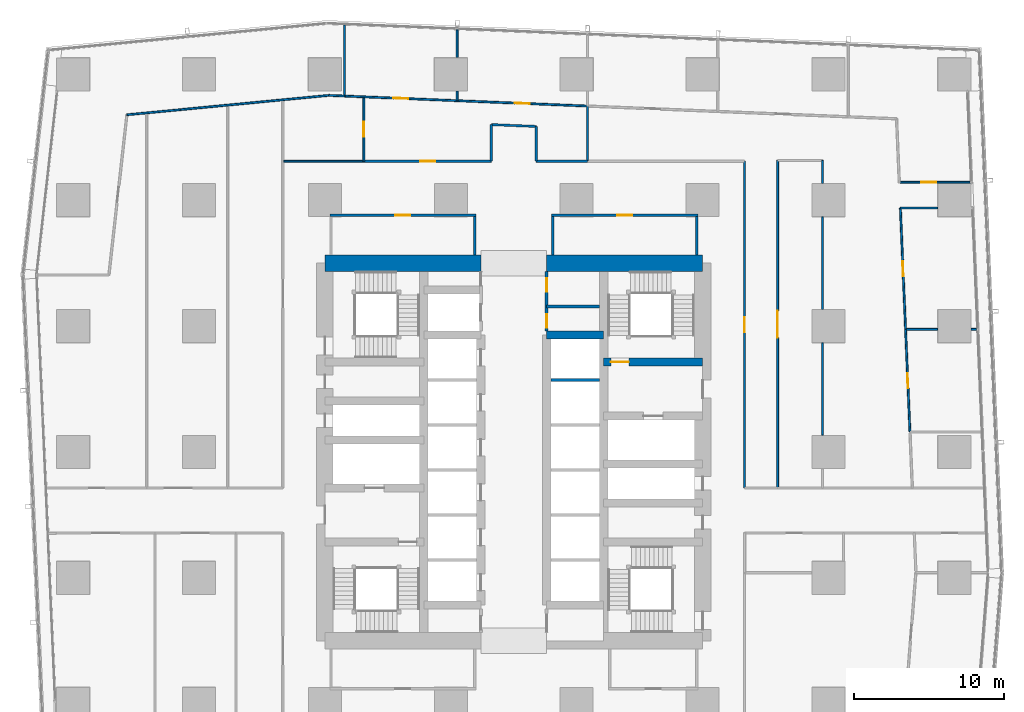
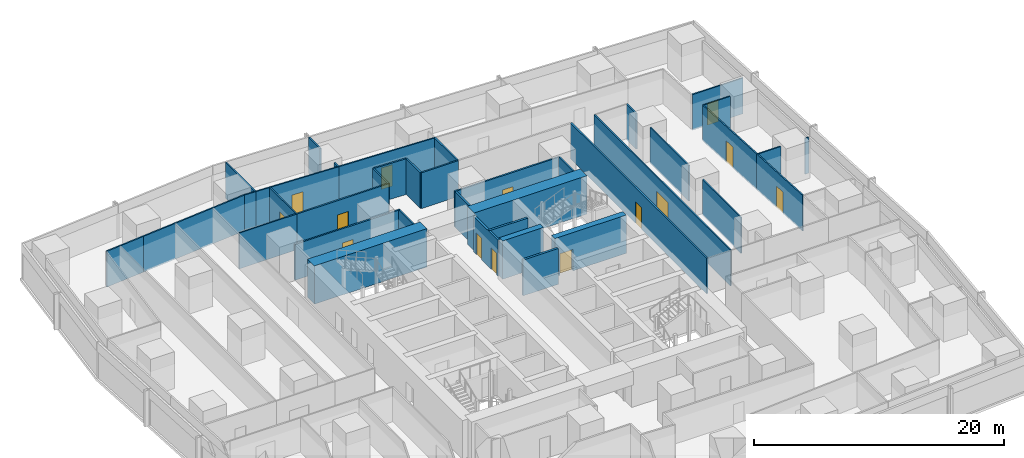
# One storey, part 34 of 44: 39 walls, 14 doors, 14 openings.
"""IFC4 building model written with IfcOpenShell, lengths in metres."""

from ifc_helpers import new_model, si_unit, direction, frame, frame_2d, origin, place, context, subcontext, project, spatial, rectangle, extrude, material, layer, layer_set, type_object, element, fill, save


model = new_model("IFC4")

# Units and contexts
model_context = context("Model", 3, precision=1e-05, world=origin(), true_north=direction((0.0, 1.0)))
body_context = subcontext(model_context, "Body", "Model", "MODEL_VIEW")
ifc_project = project(units=[si_unit("LENGTHUNIT", "METRE"), si_unit("AREAUNIT", "SQUARE_METRE"), si_unit("VOLUMEUNIT", "CUBIC_METRE"), si_unit("PLANEANGLEUNIT", "RADIAN"), si_unit("MASSUNIT", "GRAM", prefix="KILO")], contexts=[model_context])

# Site, building, storey
site_placement = place(None, origin())
site = spatial("IfcSite", under=ifc_project, at=site_placement, CompositionType="ELEMENT")
building_placement = place(site_placement, origin())
building = spatial("IfcBuilding", under=site, at=building_placement, Name="Rekha Terrace Tower", CompositionType="ELEMENT")
storey_placement = place(building_placement, frame((0.0, 0.0, 47.89990234375)))
storey = spatial("IfcBuildingStorey", under=building, at=storey_placement, Name="L11", CompositionType="ELEMENT", Elevation=47.89990234375)

# Wall
ifc_material_1 = material(Name="Concrete M70", Category="concrete")
ifc_layer_1 = layer(ifc_material_1, 0.550048828125)
ifc_layer_set_1 = layer_set([ifc_layer_1], Name="Concrete M70")
wall_type_1 = type_object("IfcWallType", Name="CI1 550 core internal shear wall", PredefinedType="SHEAR", material=ifc_layer_set_1)
wall_1_placement = place(storey_placement, frame((40.0, 41.39990234375, 0.0), z_axis=(0.0, 0.0, 1.0), x_axis=(1.0, 0.0, 0.0)))
element("IfcWall", 1, at=wall_1_placement, inside=storey, type_object=wall_type_1, Name="Core wall Y414E L11", PredefinedType="SHEAR", context=body_context, shape_type="SweptSolid", body=[
    extrude(rectangle(XDim=3.800048828125, YDim=0.550048828125, at=frame_2d((1.89990234375, 0.0))), origin(), (0.0, 0.0, 1.0), 3.75),
])

# Wall, opening, door
wall_2_placement = place(storey_placement, frame((43.800048828125, 39.60009765625, 0.0), z_axis=(0.0, 0.0, 1.0), x_axis=(1.0, 0.0, 0.0)))
wall_2 = element("IfcWall", 2, at=wall_2_placement, inside=storey, type_object=wall_type_1, Name="Core wall Y396E L11", PredefinedType="SHEAR", context=body_context, shape_type="SweptSolid", body=[
    extrude(rectangle(XDim=6.599853515625, YDim=0.550048828125, at=frame_2d((3.2998046875, 0.0))), origin(), (0.0, 0.0, 1.0), 3.75),
])
opening_1_placement = place(wall_2_placement, frame((0.47509765625, 0.0, 0.0)))
opening_1 = element("IfcOpeningElement", 3, at=opening_1_placement, cuts=wall_2, Name="Opening D1", PredefinedType="OPENING", context=body_context, shape_type="SweptSolid", body=[
    extrude(rectangle(XDim=1.199951171875, YDim=2.10009765625, at=frame_2d((0.60009765625, 1.050048828125))), frame((0.0, 0.284912109375, 0.0), z_axis=(0.0, -1.0, 0.0), x_axis=(1.0, 0.0, 0.0)), (0.0, 0.0, 1.0), 0.570068359375),
])
ifc_material_2 = material(Name="Steel fire door", Category="steel")
door_type_1 = type_object("IfcDoorType", Name="D1 1200x2100 stair fire door", OperationType="SINGLE_SWING_RIGHT", PredefinedType="DOOR", material=ifc_material_2)
door_1_placement = place(opening_1_placement, origin())
door_1 = element("IfcDoor", 4, at=door_1_placement, inside=storey, type_object=door_type_1, Name="Stair ST2 door L11", OperationType="SINGLE_SWING_RIGHT", OverallHeight=2.10009765625, OverallWidth=1.199951171875, PredefinedType="DOOR", context=body_context, shape_type="SweptSolid", body=[
    extrude(rectangle(XDim=1.199951171875, YDim=2.10009765625, at=frame_2d((0.60009765625, 1.050048828125))), frame((0.0, 0.02490234375, 0.0), z_axis=(0.0, -1.0, 0.0), x_axis=(1.0, 0.0, 0.0)), (0.0, 0.0, 1.0), 0.050048828125),
])
fill(opening_1, door_1)

# Walls
ifc_layer_2 = layer(ifc_material_1, 1.10009765625)
ifc_layer_set_2 = layer_set([ifc_layer_2], Name="Concrete M70")
wall_type_2 = type_object("IfcWallType", Name="SW1 1100 core outer shear wall", PredefinedType="SHEAR", material=ifc_layer_set_2)
wall_3_placement = place(storey_placement, frame((25.199951171875, 46.199951171875, 0.0), z_axis=(0.0, 0.0, 1.0), x_axis=(1.0, 0.0, 0.0)))
element("IfcWall", 5, at=wall_3_placement, inside=storey, type_object=wall_type_2, Name="Core wall N1 L11", PredefinedType="SHEAR", context=body_context, shape_type="SweptSolid", body=[
    extrude(rectangle(XDim=10.400146484375, YDim=1.10009765625, at=frame_2d((5.2001953125, 0.0))), origin(), (0.0, 0.0, 1.0), 3.75),
])
wall_4_placement = place(storey_placement, frame((40.0, 46.199951171875, 0.0), z_axis=(0.0, 0.0, 1.0), x_axis=(1.0, 0.0, 0.0)))
element("IfcWall", 6, at=wall_4_placement, inside=storey, type_object=wall_type_2, Name="Core wall N2 L11", PredefinedType="SHEAR", context=body_context, shape_type="SweptSolid", body=[
    extrude(rectangle(XDim=10.39990234375, YDim=1.10009765625, at=frame_2d((5.199951171875, 0.0))), origin(), (0.0, 0.0, 1.0), 3.75),
])

# Wall, opening, door
ifc_material_3 = material(Name="Concrete block masonry, 1 hour", Category="masonry")
ifc_layer_3 = layer(ifc_material_3, 0.14990234375)
ifc_layer_set_3 = layer_set([ifc_layer_3], Name="Concrete block masonry, 1 hour")
wall_type_3 = type_object("IfcWallType", Name="WP2 150 tenancy partition", PredefinedType="PARTITIONING", material=ifc_layer_set_3)
wall_5_placement = place(storey_placement, frame((40.324951171875, 49.39990234375, 0.0), z_axis=(0.0, 0.0, 1.0), x_axis=(1.0, 0.0, 0.0)))
wall_5 = element("IfcWall", 7, at=wall_5_placement, inside=storey, type_object=wall_type_3, Name="Women's WC wall L11", PredefinedType="PARTITIONING", context=body_context, shape_type="SweptSolid", body=[
    extrude(rectangle(XDim=9.75, YDim=0.14990234375, at=frame_2d((4.875, 0.0))), origin(), (0.0, 0.0, 1.0), 3.5),
])
opening_2_placement = place(wall_5_placement, frame((4.375, 0.0, 0.0)))
opening_2 = element("IfcOpeningElement", 8, at=opening_2_placement, cuts=wall_5, Name="Opening D3", PredefinedType="OPENING", context=body_context, shape_type="SweptSolid", body=[
    extrude(rectangle(XDim=1.0, YDim=2.10009765625, at=frame_2d((0.5, 1.050048828125))), frame((0.0, 0.0849609375, 0.0), z_axis=(0.0, -1.0, 0.0), x_axis=(1.0, 0.0, 0.0)), (0.0, 0.0, 1.0), 0.169921875),
])
ifc_material_4 = material(Name="Laminated timber fire door", Category="wood")
door_type_2 = type_object("IfcDoorType", Name="D3 1000x2100 WC door", OperationType="SINGLE_SWING_LEFT", PredefinedType="DOOR", material=ifc_material_4)
door_2_placement = place(opening_2_placement, origin())
door_2 = element("IfcDoor", 9, at=door_2_placement, inside=storey, type_object=door_type_2, Name="Door women's wc L11", OperationType="SINGLE_SWING_LEFT", OverallHeight=2.10009765625, OverallWidth=1.0, PredefinedType="DOOR", context=body_context, shape_type="SweptSolid", body=[
    extrude(rectangle(XDim=1.0, YDim=2.10009765625, at=frame_2d((0.5, 1.050048828125))), frame((0.0, 0.02490234375, 0.0), z_axis=(0.0, -1.0, 0.0), x_axis=(1.0, 0.0, 0.0)), (0.0, 0.0, 1.0), 0.050048828125),
])
fill(opening_2, door_2)

# Walls
for number, where, z_axis, x_axis, name in (
    (10, (40.39990234375, 46.75, 0.0), (0.0, 0.0, 1.0), (0.0, 1.0, 0.0), "Women's WC wall L11"),
    (11, (50.0, 46.75, 0.0), (0.0, 0.0, 1.0), (0.0, 1.0, 0.0), "Women's WC wall L11"),
):
    element("IfcWall", number, at=place(storey_placement, frame(where, z_axis=z_axis, x_axis=x_axis)), inside=storey, type_object=wall_type_3, Name=name, PredefinedType="PARTITIONING", context=body_context, shape_type="SweptSolid", body=[
        extrude(rectangle(XDim=2.574951171875, YDim=0.14990234375, at=frame_2d((1.28759765625, 0.0))), origin(), (0.0, 0.0, 1.0), 3.5),
    ])

# Wall, opening, door
wall_6_placement = place(storey_placement, frame((25.52490234375, 49.39990234375, 0.0), z_axis=(0.0, 0.0, 1.0), x_axis=(1.0, 0.0, 0.0)))
wall_6 = element("IfcWall", 12, at=wall_6_placement, inside=storey, type_object=wall_type_3, Name="Women's WC wall L11", PredefinedType="PARTITIONING", context=body_context, shape_type="SweptSolid", body=[
    extrude(rectangle(XDim=9.75, YDim=0.14990234375, at=frame_2d((4.875, 0.0))), origin(), (0.0, 0.0, 1.0), 3.5),
])
opening_3_placement = place(wall_6_placement, frame((4.375, 0.0, 0.0)))
opening_3 = element("IfcOpeningElement", 13, at=opening_3_placement, cuts=wall_6, Name="Opening D3", PredefinedType="OPENING", context=body_context, shape_type="SweptSolid", body=[
    extrude(rectangle(XDim=1.0, YDim=2.10009765625, at=frame_2d((0.5, 1.050048828125))), frame((0.0, 0.0849609375, 0.0), z_axis=(0.0, -1.0, 0.0), x_axis=(1.0, 0.0, 0.0)), (0.0, 0.0, 1.0), 0.169921875),
])
door_3_placement = place(opening_3_placement, origin())
door_3 = element("IfcDoor", 14, at=door_3_placement, inside=storey, type_object=door_type_2, Name="Door women's wc L11", OperationType="SINGLE_SWING_LEFT", OverallHeight=2.10009765625, OverallWidth=1.0, PredefinedType="DOOR", context=body_context, shape_type="SweptSolid", body=[
    extrude(rectangle(XDim=1.0, YDim=2.10009765625, at=frame_2d((0.5, 1.050048828125))), frame((0.0, 0.02490234375, 0.0), z_axis=(0.0, -1.0, 0.0), x_axis=(1.0, 0.0, 0.0)), (0.0, 0.0, 1.0), 0.050048828125),
])
fill(opening_3, door_3)

# Wall
wall_7_placement = place(storey_placement, frame((35.199951171875, 46.75, 0.0), z_axis=(0.0, 0.0, 1.0), x_axis=(0.0, 1.0, 0.0)))
element("IfcWall", 15, at=wall_7_placement, inside=storey, type_object=wall_type_3, Name="Women's WC wall L11", PredefinedType="PARTITIONING", context=body_context, shape_type="SweptSolid", body=[
    extrude(rectangle(XDim=2.574951171875, YDim=0.14990234375, at=frame_2d((1.28759765625, 0.0))), origin(), (0.0, 0.0, 1.0), 3.5),
])

# Wall, opening, door
wall_8_placement = place(storey_placement, frame((53.199951171875, 31.199951171875, 0.0), z_axis=(0.0, 0.0, 1.0), x_axis=(0.0, 1.0, 0.0)))
wall_8 = element("IfcWall", 16, at=wall_8_placement, inside=storey, type_object=wall_type_3, Name="Partition L11-O3", PredefinedType="PARTITIONING", context=body_context, shape_type="SweptSolid", body=[
    extrude(rectangle(XDim=21.800048828125, YDim=0.14990234375, at=frame_2d((10.89990234375, 0.0))), origin(), (0.0, 0.0, 1.0), 3.5),
])
opening_4_placement = place(wall_8_placement, frame((10.39990234375, 0.0, 0.0)))
opening_4 = element("IfcOpeningElement", 17, at=opening_4_placement, cuts=wall_8, Name="Opening D9", PredefinedType="OPENING", context=body_context, shape_type="SweptSolid", body=[
    extrude(rectangle(XDim=1.0, YDim=2.10009765625, at=frame_2d((0.5, 1.050048828125))), frame((0.0, 0.0849609375, 0.0), z_axis=(0.0, -1.0, 0.0), x_axis=(1.0, 0.0, 0.0)), (0.0, 0.0, 1.0), 0.169921875),
])
ifc_material_5 = material(Name="Timber fire door", Category="wood")
door_type_3 = type_object("IfcDoorType", Name="D9 1000x2100 office door", OperationType="SINGLE_SWING_LEFT", PredefinedType="DOOR", material=ifc_material_5)
door_4_placement = place(opening_4_placement, origin())
door_4 = element("IfcDoor", 18, at=door_4_placement, inside=storey, type_object=door_type_3, Name="Door open-plan office L11", OperationType="SINGLE_SWING_LEFT", OverallHeight=2.10009765625, OverallWidth=1.0, PredefinedType="DOOR", context=body_context, shape_type="SweptSolid", body=[
    extrude(rectangle(XDim=1.0, YDim=2.10009765625, at=frame_2d((0.5, 1.050048828125))), frame((0.0, 0.02490234375, 0.0), z_axis=(0.0, -1.0, 0.0), x_axis=(1.0, 0.0, 0.0)), (0.0, 0.0, 1.0), 0.050048828125),
])
fill(opening_4, door_4)

# Walls
wall_9_placement = place(storey_placement, frame((42.718994140625, 53.0, 0.0), z_axis=(0.0, 0.0, 1.0), x_axis=(0.0, 1.0, 0.0)))
element("IfcWall", 19, at=wall_9_placement, inside=storey, type_object=wall_type_3, Name="Partition L11-O3", PredefinedType="PARTITIONING", context=body_context, shape_type="SweptSolid", body=[
    extrude(rectangle(XDim=3.678955078125, YDim=0.14990234375, at=frame_2d((1.83935546875, 0.0))), origin(), (0.0, 0.0, 1.0), 3.5),
])
wall_10_placement = place(storey_placement, frame((42.718017578125, 53.0, 0.0), z_axis=(0.0, 0.0, 1.0), x_axis=(-1.0, 0.0, 0.0)))
element("IfcWall", 20, at=wall_10_placement, inside=storey, type_object=wall_type_3, Name="Partition L11-O4", PredefinedType="PARTITIONING", context=body_context, shape_type="SweptSolid", body=[
    extrude(rectangle(XDim=3.41796875, YDim=0.14990234375, at=frame_2d((1.708984375, 0.0))), origin(), (0.0, 0.0, 1.0), 3.5),
])
wall_11_placement = place(storey_placement, frame((39.300048828125, 53.0, 0.0), z_axis=(0.0, 0.0, 1.0), x_axis=(0.0, 1.0, 0.0)))
element("IfcWall", 21, at=wall_11_placement, inside=storey, type_object=wall_type_3, Name="Partition L11-O4", PredefinedType="PARTITIONING", context=body_context, shape_type="SweptSolid", body=[
    extrude(rectangle(XDim=2.319091796875, YDim=0.14990234375, at=frame_2d((1.15966796875, 0.0))), origin(), (0.0, 0.0, 1.0), 3.5),
])
wall_12_placement = place(storey_placement, frame((39.300048828125, 55.319091796875, 0.0), z_axis=(0.0, 0.0, 1.0), x_axis=(-0.999163245212, 0.040899992866, 0.0)))
element("IfcWall", 22, at=wall_12_placement, inside=storey, type_object=wall_type_3, Name="Partition L11-O4", PredefinedType="PARTITIONING", context=body_context, shape_type="SweptSolid", body=[
    extrude(rectangle(XDim=3.00244140625, YDim=0.14990234375, at=frame_2d((1.501220703125, 0.0))), origin(), (0.0, 0.0, 1.0), 3.5),
])
wall_13_placement = place(storey_placement, frame((36.300048828125, 55.44189453125, 0.0), z_axis=(0.0, 0.0, 1.0), x_axis=(0.0, -1.0, 0.0)))
element("IfcWall", 23, at=wall_13_placement, inside=storey, type_object=wall_type_3, Name="Partition L11-O4", PredefinedType="PARTITIONING", context=body_context, shape_type="SweptSolid", body=[
    extrude(rectangle(XDim=2.44189453125, YDim=0.14990234375, at=frame_2d((1.220947265625, 0.0))), origin(), (0.0, 0.0, 1.0), 3.5),
])

# Wall, opening, door
wall_14_placement = place(storey_placement, frame((36.300048828125, 53.0, 0.0), z_axis=(0.0, 0.0, 1.0), x_axis=(-1.0, 0.0, 0.0)))
wall_14 = element("IfcWall", 24, at=wall_14_placement, inside=storey, type_object=wall_type_3, Name="Partition L11-O4", PredefinedType="PARTITIONING", context=body_context, shape_type="SweptSolid", body=[
    extrude(rectangle(XDim=8.5, YDim=0.14990234375, at=frame_2d((4.25, 0.0))), origin(), (0.0, 0.0, 1.0), 3.5),
])
opening_5_placement = place(wall_14_placement, frame((3.75, 0.0, 0.0)))
opening_5 = element("IfcOpeningElement", 25, at=opening_5_placement, cuts=wall_14, Name="Opening D9", PredefinedType="OPENING", context=body_context, shape_type="SweptSolid", body=[
    extrude(rectangle(XDim=1.0, YDim=2.10009765625, at=frame_2d((0.5, 1.050048828125))), frame((0.0, 0.0849609375, 0.0), z_axis=(0.0, -1.0, 0.0), x_axis=(1.0, 0.0, 0.0)), (0.0, 0.0, 1.0), 0.169921875),
])
door_5_placement = place(opening_5_placement, origin())
door_5 = element("IfcDoor", 26, at=door_5_placement, inside=storey, type_object=door_type_3, Name="Door open-plan office L11", OperationType="SINGLE_SWING_LEFT", OverallHeight=2.10009765625, OverallWidth=1.0, PredefinedType="DOOR", context=body_context, shape_type="SweptSolid", body=[
    extrude(rectangle(XDim=1.0, YDim=2.10009765625, at=frame_2d((0.5, 1.050048828125))), frame((0.0, 0.02490234375, 0.0), z_axis=(0.0, -1.0, 0.0), x_axis=(1.0, 0.0, 0.0)), (0.0, 0.0, 1.0), 0.050048828125),
])
fill(opening_5, door_5)

ifc_material_6 = material(Name="Two layers of fire-rated gypsum board each side on steel studs, acoustic quilt, 1 hour", Category="steel")
ifc_layer_4 = layer(ifc_material_6, 0.125)
ifc_layer_set_4 = layer_set([ifc_layer_4], Name="Two layers of fire-rated gypsum board each side on steel studs, acoustic quilt, 1 hour")
wall_type_4 = type_object("IfcWallType", Name="WP3 125 office partition", PredefinedType="PARTITIONING", material=ifc_layer_set_4)
wall_15_placement = place(storey_placement, frame((64.23095703125, 34.9541015625, 0.0), z_axis=(0.0, 0.0, 1.0), x_axis=(-0.042731736662, 0.999086582175, 0.0)))
wall_15 = element("IfcWall", 27, at=wall_15_placement, inside=storey, type_object=wall_type_4, Name="Partition L11-07", PredefinedType="PARTITIONING", context=body_context, shape_type="SweptSolid", body=[
    extrude(rectangle(XDim=6.833251953125, YDim=0.125, at=frame_2d((3.41650390625, 0.0))), origin(), (0.0, 0.0, 1.0), 3.5),
])
opening_6_placement = place(wall_15_placement, frame((2.905029296875, 0.0, 0.0)))
opening_6 = element("IfcOpeningElement", 28, at=opening_6_placement, cuts=wall_15, Name="Opening D9", PredefinedType="OPENING", context=body_context, shape_type="SweptSolid", body=[
    extrude(rectangle(XDim=1.0, YDim=2.10009765625, at=frame_2d((0.5, 1.050048828125))), frame((0.0, 0.072509765625, 0.0), z_axis=(0.0, -1.0, 0.0), x_axis=(1.0, 0.0, 0.0)), (0.0, 0.0, 1.0), 0.14501953125),
])
door_6_placement = place(opening_6_placement, origin())
door_6 = element("IfcDoor", 29, at=door_6_placement, inside=storey, type_object=door_type_3, Name="Door office L11", OperationType="SINGLE_SWING_LEFT", OverallHeight=2.10009765625, OverallWidth=1.0, PredefinedType="DOOR", context=body_context, shape_type="SweptSolid", body=[
    extrude(rectangle(XDim=1.0, YDim=2.10009765625, at=frame_2d((0.5, 1.050048828125))), frame((0.0, 0.02490234375, 0.0), z_axis=(0.0, -1.0, 0.0), x_axis=(1.0, 0.0, 0.0)), (0.0, 0.0, 1.0), 0.050048828125),
])
fill(opening_6, door_6)

# Walls
wall_16_placement = place(storey_placement, frame((64.001953125, 41.781005859375, 0.0), z_axis=(0.0, 0.0, 1.0), x_axis=(1.0, 0.0, 0.0)))
element("IfcWall", 30, at=wall_16_placement, inside=storey, type_object=wall_type_4, Name="Partition L11-07", PredefinedType="PARTITIONING", context=body_context, shape_type="SweptSolid", body=[
    extrude(rectangle(XDim=2.078125, YDim=0.125, at=frame_2d((1.0390625, 0.0))), origin(), (0.0, 0.0, 1.0), 3.5),
])
wall_17_placement = place(storey_placement, frame((68.320068359375, 41.781005859375, 0.0), z_axis=(0.0, 0.0, 1.0), x_axis=(1.0, 0.0, 0.0)))
element("IfcWall", 31, at=wall_17_placement, inside=storey, type_object=wall_type_4, Name="Partition L11-07", PredefinedType="PARTITIONING", context=body_context, shape_type="SweptSolid", body=[
    extrude(rectangle(XDim=0.343017578125, YDim=0.125, at=frame_2d((0.17138671875, 0.0))), origin(), (0.0, 0.0, 1.0), 3.5),
])

# Wall, opening, door
wall_18_placement = place(storey_placement, frame((63.93896484375, 41.781982421875, 0.0), z_axis=(0.0, 0.0, 1.0), x_axis=(-0.042686820675, 0.999088502256, 0.0)))
wall_18 = element("IfcWall", 32, at=wall_18_placement, inside=storey, type_object=wall_type_4, Name="Partition L11-08", PredefinedType="PARTITIONING", context=body_context, shape_type="SweptSolid", body=[
    extrude(rectangle(XDim=8.104248046875, YDim=0.125, at=frame_2d((4.05224609375, 0.0))), origin(), (0.0, 0.0, 1.0), 3.5),
])
opening_7_placement = place(wall_18_placement, frame((3.552001953125, 0.0, 0.0)))
opening_7 = element("IfcOpeningElement", 33, at=opening_7_placement, cuts=wall_18, Name="Opening D9", PredefinedType="OPENING", context=body_context, shape_type="SweptSolid", body=[
    extrude(rectangle(XDim=1.0, YDim=2.10009765625, at=frame_2d((0.5, 1.050048828125))), frame((0.0, 0.072509765625, 0.0), z_axis=(0.0, -1.0, 0.0), x_axis=(1.0, 0.0, 0.0)), (0.0, 0.0, 1.0), 0.14501953125),
])
door_7_placement = place(opening_7_placement, origin())
door_7 = element("IfcDoor", 34, at=door_7_placement, inside=storey, type_object=door_type_3, Name="Door office L11", OperationType="SINGLE_SWING_LEFT", OverallHeight=2.10009765625, OverallWidth=1.0, PredefinedType="DOOR", context=body_context, shape_type="SweptSolid", body=[
    extrude(rectangle(XDim=1.0, YDim=2.10009765625, at=frame_2d((0.5, 1.050048828125))), frame((0.0, 0.02490234375, 0.0), z_axis=(0.0, -1.0, 0.0), x_axis=(1.0, 0.0, 0.0)), (0.0, 0.0, 1.0), 0.050048828125),
])
fill(opening_7, door_7)

# Wall
wall_19_placement = place(storey_placement, frame((63.593017578125, 49.87890625, 0.0), z_axis=(0.0, 0.0, 1.0), x_axis=(1.0, 0.0, 0.0)))
element("IfcWall", 35, at=wall_19_placement, inside=storey, type_object=wall_type_4, Name="Partition L11-08", PredefinedType="PARTITIONING", context=body_context, shape_type="SweptSolid", body=[
    extrude(rectangle(XDim=2.487060546875, YDim=0.125, at=frame_2d((1.24365234375, 0.0))), origin(), (0.0, 0.0, 1.0), 3.5),
])

# Wall, opening, door
wall_20_placement = place(storey_placement, frame((68.243896484375, 51.593017578125, 0.0), z_axis=(0.0, 0.0, 1.0), x_axis=(-1.0, 0.0, 0.0)))
wall_20 = element("IfcWall", 36, at=wall_20_placement, inside=storey, type_object=wall_type_4, Name="Partition L11-09", PredefinedType="PARTITIONING", context=body_context, shape_type="SweptSolid", body=[
    extrude(rectangle(XDim=4.661865234375, YDim=0.125, at=frame_2d((2.3310546875, 0.0))), origin(), (0.0, 0.0, 1.0), 3.5),
])
opening_8_placement = place(wall_20_placement, frame((2.260986328125, 0.0, 0.0)))
opening_8 = element("IfcOpeningElement", 37, at=opening_8_placement, cuts=wall_20, Name="Opening D9", PredefinedType="OPENING", context=body_context, shape_type="SweptSolid", body=[
    extrude(rectangle(XDim=1.0, YDim=2.10009765625, at=frame_2d((0.5, 1.050048828125))), frame((0.0, 0.072509765625, 0.0), z_axis=(0.0, -1.0, 0.0), x_axis=(1.0, 0.0, 0.0)), (0.0, 0.0, 1.0), 0.14501953125),
])
door_8_placement = place(opening_8_placement, origin())
door_8 = element("IfcDoor", 38, at=door_8_placement, inside=storey, type_object=door_type_3, Name="Door director's office L11", OperationType="SINGLE_SWING_LEFT", OverallHeight=2.10009765625, OverallWidth=1.0, PredefinedType="DOOR", context=body_context, shape_type="SweptSolid", body=[
    extrude(rectangle(XDim=1.0, YDim=2.10009765625, at=frame_2d((0.5, 1.050048828125))), frame((0.0, 0.02490234375, 0.0), z_axis=(0.0, -1.0, 0.0), x_axis=(1.0, 0.0, 0.0)), (0.0, 0.0, 1.0), 0.050048828125),
])
fill(opening_8, door_8)

# Walls
wall_21_placement = place(storey_placement, frame((58.39990234375, 53.050048828125, 0.0), z_axis=(0.0, 0.0, 1.0), x_axis=(0.0, -1.0, 0.0)))
element("IfcWall", 39, at=wall_21_placement, inside=storey, type_object=wall_type_4, Name="Partition L11-12", PredefinedType="PARTITIONING", context=body_context, shape_type="SweptSolid", body=[
    extrude(rectangle(XDim=1.530029296875, YDim=0.125, at=frame_2d((0.76513671875, 0.0))), origin(), (0.0, 0.0, 1.0), 3.5),
])
for number, where, z_axis, x_axis, name in (
    (40, (58.39990234375, 49.280029296875, 0.0), (0.0, 0.0, 1.0), (0.0, -1.0, 0.0), "Partition L11-12"),
    (41, (58.39990234375, 40.8798828125, 0.0), (0.0, 0.0, 1.0), (0.0, -1.0, 0.0), "Partition L11-12"),
):
    element("IfcWall", number, at=place(storey_placement, frame(where, z_axis=z_axis, x_axis=x_axis)), inside=storey, type_object=wall_type_4, Name=name, PredefinedType="PARTITIONING", context=body_context, shape_type="SweptSolid", body=[
        extrude(rectangle(XDim=6.159912109375, YDim=0.125, at=frame_2d((3.080078125, 0.0))), origin(), (0.0, 0.0, 1.0), 3.5),
    ])

# Wall, opening, door
wall_22_placement = place(storey_placement, frame((55.39990234375, 31.199951171875, 0.0), z_axis=(0.0, 0.0, 1.0), x_axis=(0.0, 1.0, 0.0)))
wall_22 = element("IfcWall", 42, at=wall_22_placement, inside=storey, type_object=wall_type_4, Name="Partition L11-12", PredefinedType="PARTITIONING", context=body_context, shape_type="SweptSolid", body=[
    extrude(rectangle(XDim=21.85009765625, YDim=0.125, at=frame_2d((10.925048828125, 0.0))), origin(), (0.0, 0.0, 1.0), 3.5),
])
opening_9_placement = place(wall_22_placement, frame((10.02490234375, 0.0, 0.0)))
opening_9 = element("IfcOpeningElement", 43, at=opening_9_placement, cuts=wall_22, Name="Opening D8", PredefinedType="OPENING", context=body_context, shape_type="SweptSolid", body=[
    extrude(rectangle(XDim=1.800048828125, YDim=2.10009765625, at=frame_2d((0.89990234375, 1.050048828125))), frame((0.0, 0.072509765625, 0.0), z_axis=(0.0, -1.0, 0.0), x_axis=(1.0, 0.0, 0.0)), (0.0, 0.0, 1.0), 0.14501953125),
])
door_type_4 = type_object("IfcDoorType", Name="D8 1800x2100 double leaf door", OperationType="DOUBLE_DOOR_SINGLE_SWING", PredefinedType="DOOR", material=ifc_material_5)
door_9_placement = place(opening_9_placement, origin())
door_9 = element("IfcDoor", 44, at=door_9_placement, inside=storey, type_object=door_type_4, Name="Door focus room L11", OperationType="DOUBLE_DOOR_SINGLE_SWING", OverallHeight=2.10009765625, OverallWidth=1.800048828125, PredefinedType="DOOR", context=body_context, shape_type="SweptSolid", body=[
    extrude(rectangle(XDim=1.800048828125, YDim=2.10009765625, at=frame_2d((0.89990234375, 1.050048828125))), frame((0.0, 0.02490234375, 0.0), z_axis=(0.0, -1.0, 0.0), x_axis=(1.0, 0.0, 0.0)), (0.0, 0.0, 1.0), 0.050048828125),
])
fill(opening_9, door_9)

# Walls
wall_23_placement = place(storey_placement, frame((34.02294921875, 57.037109375, 0.0), z_axis=(0.0, 0.0, 1.0), x_axis=(0.0, 1.0, 0.0)))
element("IfcWall", 45, at=wall_23_placement, inside=storey, type_object=wall_type_4, Name="Partition L11-13", PredefinedType="PARTITIONING", context=body_context, shape_type="SweptSolid", body=[
    extrude(rectangle(XDim=0.642822265625, YDim=0.125, at=frame_2d((0.3212890625, 0.0))), origin(), (0.0, 0.0, 1.0), 3.5),
])
wall_24_placement = place(storey_placement, frame((34.02294921875, 59.919921875, 0.0), z_axis=(0.0, 0.0, 1.0), x_axis=(0.0, 1.0, 0.0)))
element("IfcWall", 46, at=wall_24_placement, inside=storey, type_object=wall_type_4, Name="Partition L11-13", PredefinedType="PARTITIONING", context=body_context, shape_type="SweptSolid", body=[
    extrude(rectangle(XDim=1.841064453125, YDim=0.125, at=frame_2d((0.92041015625, 0.0))), origin(), (0.0, 0.0, 1.0), 3.5),
])

# Wall, opening, door
wall_25_placement = place(storey_placement, frame((42.718017578125, 56.678955078125, 0.0), z_axis=(0.0, 0.0, 1.0), x_axis=(-0.999152748928, 0.041155610913, 0.0)))
wall_25 = element("IfcWall", 47, at=wall_25_placement, inside=storey, type_object=wall_type_4, Name="Partition L11-13", PredefinedType="PARTITIONING", context=body_context, shape_type="SweptSolid", body=[
    extrude(rectangle(XDim=8.702392578125, YDim=0.125, at=frame_2d((4.35107421875, 0.0))), origin(), (0.0, 0.0, 1.0), 3.5),
])
opening_10_placement = place(wall_25_placement, frame((3.85107421875, 0.0, 0.0)))
opening_10 = element("IfcOpeningElement", 48, at=opening_10_placement, cuts=wall_25, Name="Opening D9", PredefinedType="OPENING", context=body_context, shape_type="SweptSolid", body=[
    extrude(rectangle(XDim=1.0, YDim=2.10009765625, at=frame_2d((0.5, 1.050048828125))), frame((0.0, 0.072509765625, 0.0), z_axis=(0.0, -1.0, 0.0), x_axis=(1.0, 0.0, 0.0)), (0.0, 0.0, 1.0), 0.14501953125),
])
door_10_placement = place(opening_10_placement, origin())
door_10 = element("IfcDoor", 49, at=door_10_placement, inside=storey, type_object=door_type_3, Name="Door office L11", OperationType="SINGLE_SWING_LEFT", OverallHeight=2.10009765625, OverallWidth=1.0, PredefinedType="DOOR", context=body_context, shape_type="SweptSolid", body=[
    extrude(rectangle(XDim=1.0, YDim=2.10009765625, at=frame_2d((0.5, 1.050048828125))), frame((0.0, 0.02490234375, 0.0), z_axis=(0.0, -1.0, 0.0), x_axis=(1.0, 0.0, 0.0)), (0.0, 0.0, 1.0), 0.050048828125),
])
fill(opening_10, door_10)

wall_26_placement = place(storey_placement, frame((34.02099609375, 57.037109375, 0.0), z_axis=(0.0, 0.0, 1.0), x_axis=(-0.999150378183, 0.041213126277, 0.0)))
wall_26 = element("IfcWall", 50, at=wall_26_placement, inside=storey, type_object=wall_type_4, Name="Partition L11-14", PredefinedType="PARTITIONING", context=body_context, shape_type="SweptSolid", body=[
    extrude(rectangle(XDim=7.517333984375, YDim=0.125, at=frame_2d((3.7587890625, 0.0))), origin(), (0.0, 0.0, 1.0), 3.5),
])
opening_11_placement = place(wall_26_placement, frame((3.259033203125, 0.0, 0.0)))
opening_11 = element("IfcOpeningElement", 51, at=opening_11_placement, cuts=wall_26, Name="Opening D9", PredefinedType="OPENING", context=body_context, shape_type="SweptSolid", body=[
    extrude(rectangle(XDim=1.0, YDim=2.10009765625, at=frame_2d((0.5, 1.050048828125))), frame((0.0, 0.072509765625, 0.0), z_axis=(0.0, -1.0, 0.0), x_axis=(1.0, 0.0, 0.0)), (0.0, 0.0, 1.0), 0.14501953125),
])
door_11_placement = place(opening_11_placement, origin())
door_11 = element("IfcDoor", 52, at=door_11_placement, inside=storey, type_object=door_type_3, Name="Door office L11", OperationType="SINGLE_SWING_LEFT", OverallHeight=2.10009765625, OverallWidth=1.0, PredefinedType="DOOR", context=body_context, shape_type="SweptSolid", body=[
    extrude(rectangle(XDim=1.0, YDim=2.10009765625, at=frame_2d((0.5, 1.050048828125))), frame((0.0, 0.02490234375, 0.0), z_axis=(0.0, -1.0, 0.0), x_axis=(1.0, 0.0, 0.0)), (0.0, 0.0, 1.0), 0.050048828125),
])
fill(opening_11, door_11)

# Walls
wall_27_placement = place(storey_placement, frame((26.510009765625, 57.346923828125, 0.0), z_axis=(0.0, 0.0, 1.0), x_axis=(0.0, 1.0, 0.0)))
element("IfcWall", 53, at=wall_27_placement, inside=storey, type_object=wall_type_4, Name="Partition L11-14", PredefinedType="PARTITIONING", context=body_context, shape_type="SweptSolid", body=[
    extrude(rectangle(XDim=4.72412109375, YDim=0.125, at=frame_2d((2.362060546875, 0.0))), origin(), (0.0, 0.0, 1.0), 3.5),
])
wall_28_placement = place(storey_placement, frame((26.509033203125, 57.346923828125, 0.0), z_axis=(0.0, 0.0, 1.0), x_axis=(-0.999118951292, 0.041968097049, 0.0)))
element("IfcWall", 54, at=wall_28_placement, inside=storey, type_object=wall_type_4, Name="Partition L11-15", PredefinedType="PARTITIONING", context=body_context, shape_type="SweptSolid", body=[
    extrude(rectangle(XDim=1.052978515625, YDim=0.125, at=frame_2d((0.5263671875, 0.0))), origin(), (0.0, 0.0, 1.0), 3.5),
])
wall_29_placement = place(storey_placement, frame((25.45703125, 57.39111328125, 0.0), z_axis=(0.0, 0.0, 1.0), x_axis=(-0.995401503094, -0.095790644833, 0.0)))
element("IfcWall", 55, at=wall_29_placement, inside=storey, type_object=wall_type_4, Name="Partition L11-15", PredefinedType="PARTITIONING", context=body_context, shape_type="SweptSolid", body=[
    extrude(rectangle(XDim=9.9296875, YDim=0.125, at=frame_2d((4.96484375, 0.0))), origin(), (0.0, 0.0, 1.0), 3.5),
])
wall_30_placement = place(storey_placement, frame((15.572021484375, 56.43994140625, 0.0), z_axis=(0.0, 0.0, 1.0), x_axis=(-0.995420457926, -0.095593472275, 0.0)))
element("IfcWall", 56, at=wall_30_placement, inside=storey, type_object=wall_type_4, Name="Partition L11-16", PredefinedType="PARTITIONING", context=body_context, shape_type="SweptSolid", body=[
    extrude(rectangle(XDim=3.5986328125, YDim=0.125, at=frame_2d((1.79931640625, 0.0))), origin(), (0.0, 0.0, 1.0), 3.5),
])

# Wall, opening, door
wall_31_placement = place(storey_placement, frame((27.800048828125, 57.23095703125, 0.0), z_axis=(0.0, 0.0, 1.0), x_axis=(0.0, -1.0, 0.0)))
wall_31 = element("IfcWall", 57, at=wall_31_placement, inside=storey, type_object=wall_type_4, Name="Partition L11-19", PredefinedType="PARTITIONING", context=body_context, shape_type="SweptSolid", body=[
    extrude(rectangle(XDim=4.23095703125, YDim=0.125, at=frame_2d((2.115478515625, 0.0))), origin(), (0.0, 0.0, 1.0), 3.5),
])
opening_12_placement = place(wall_31_placement, frame((1.583984375, 0.0, 0.0)))
opening_12 = element("IfcOpeningElement", 58, at=opening_12_placement, cuts=wall_31, Name="Opening D9", PredefinedType="OPENING", context=body_context, shape_type="SweptSolid", body=[
    extrude(rectangle(XDim=1.0, YDim=2.10009765625, at=frame_2d((0.5, 1.050048828125))), frame((0.0, 0.072509765625, 0.0), z_axis=(0.0, -1.0, 0.0), x_axis=(1.0, 0.0, 0.0)), (0.0, 0.0, 1.0), 0.14501953125),
])
door_12_placement = place(opening_12_placement, origin())
door_12 = element("IfcDoor", 59, at=door_12_placement, inside=storey, type_object=door_type_3, Name="Door meeting room L11", OperationType="SINGLE_SWING_LEFT", OverallHeight=2.10009765625, OverallWidth=1.0, PredefinedType="DOOR", context=body_context, shape_type="SweptSolid", body=[
    extrude(rectangle(XDim=1.0, YDim=2.10009765625, at=frame_2d((0.5, 1.050048828125))), frame((0.0, 0.02490234375, 0.0), z_axis=(0.0, -1.0, 0.0), x_axis=(1.0, 0.0, 0.0)), (0.0, 0.0, 1.0), 0.050048828125),
])
fill(opening_12, door_12)

# Walls
wall_32_placement = place(storey_placement, frame((27.800048828125, 53.0, 0.0), z_axis=(0.0, 0.0, 1.0), x_axis=(-1.0, 0.0, 0.0)))
element("IfcWall", 60, at=wall_32_placement, inside=storey, type_object=wall_type_4, Name="Partition L11-19", PredefinedType="PARTITIONING", context=body_context, shape_type="SweptSolid", body=[
    extrude(rectangle(XDim=5.338134765625, YDim=0.125, at=frame_2d((2.6689453125, 0.0))), origin(), (0.0, 0.0, 1.0), 3.5),
])
ifc_material_7 = material(Name="Solid concrete block masonry, 2 hour", Category="masonry")
ifc_layer_5 = layer(ifc_material_7, 0.199951171875)
ifc_layer_set_5 = layer_set([ifc_layer_5], Name="Solid concrete block masonry, 2 hour")
wall_type_5 = type_object("IfcWallType", Name="WS1 200 stair and shaft enclosure", PredefinedType="PARTITIONING", material=ifc_layer_set_5)
wall_33_placement = place(storey_placement, frame((40.27490234375, 38.39990234375, 0.0), z_axis=(0.0, 0.0, 1.0), x_axis=(1.0, 0.0, 0.0)))
element("IfcWall", 61, at=wall_33_placement, inside=storey, type_object=wall_type_5, Name="Lift shaft divider L11", PredefinedType="PARTITIONING", context=body_context, shape_type="SweptSolid", body=[
    extrude(rectangle(XDim=3.25, YDim=0.199951171875, at=frame_2d((1.625, 0.0))), origin(), (0.0, 0.0, 1.0), 3.5),
])

# Wall, openings, doors
wall_34_placement = place(storey_placement, frame((40.0, 41.675048828125, 0.0), z_axis=(0.0, 0.0, 1.0), x_axis=(0.0, 1.0, 0.0)))
wall_34 = element("IfcWall", 62, at=wall_34_placement, inside=storey, type_object=wall_type_5, Name="Core partition elec L11", PredefinedType="PARTITIONING", context=body_context, shape_type="SweptSolid", body=[
    extrude(rectangle(XDim=3.974853515625, YDim=0.199951171875, at=frame_2d((1.9873046875, 0.0))), origin(), (0.0, 0.0, 1.0), 3.5),
])
opening_13_placement = place(wall_34_placement, frame((2.625, 0.0, 0.0)))
opening_13 = element("IfcOpeningElement", 63, at=opening_13_placement, cuts=wall_34, Name="Opening D5", PredefinedType="OPENING", context=body_context, shape_type="SweptSolid", body=[
    extrude(rectangle(XDim=0.89990234375, YDim=2.10009765625, at=frame_2d((0.449951171875, 1.050048828125))), frame((0.0, 0.10986328125, 0.0), z_axis=(0.0, -1.0, 0.0), x_axis=(1.0, 0.0, 0.0)), (0.0, 0.0, 1.0), 0.219970703125),
])
opening_14_placement = place(wall_34_placement, frame((0.22509765625, 0.0, 0.0)))
opening_14 = element("IfcOpeningElement", 64, at=opening_14_placement, cuts=wall_34, Name="Opening D5", PredefinedType="OPENING", context=body_context, shape_type="SweptSolid", body=[
    extrude(rectangle(XDim=0.89990234375, YDim=2.10009765625, at=frame_2d((0.449951171875, 1.050048828125))), frame((0.0, 0.10986328125, 0.0), z_axis=(0.0, -1.0, 0.0), x_axis=(1.0, 0.0, 0.0)), (0.0, 0.0, 1.0), 0.219970703125),
])
door_type_5 = type_object("IfcDoorType", Name="D5 900x2100 riser access door", OperationType="SINGLE_SWING_LEFT", PredefinedType="DOOR", material=ifc_material_2)
door_13_placement = place(opening_13_placement, origin())
door_13 = element("IfcDoor", 65, at=door_13_placement, inside=storey, type_object=door_type_5, Name="Door electrical room L11", OperationType="SINGLE_SWING_LEFT", OverallHeight=2.10009765625, OverallWidth=0.89990234375, PredefinedType="DOOR", context=body_context, shape_type="SweptSolid", body=[
    extrude(rectangle(XDim=0.89990234375, YDim=2.10009765625, at=frame_2d((0.449951171875, 1.050048828125))), frame((0.0, 0.02490234375, 0.0), z_axis=(0.0, -1.0, 0.0), x_axis=(1.0, 0.0, 0.0)), (0.0, 0.0, 1.0), 0.050048828125),
])
fill(opening_13, door_13)
door_14_placement = place(opening_14_placement, origin())
door_14 = element("IfcDoor", 66, at=door_14_placement, inside=storey, type_object=door_type_5, Name="Door stationery store L11", OperationType="SINGLE_SWING_LEFT", OverallHeight=2.10009765625, OverallWidth=0.89990234375, PredefinedType="DOOR", context=body_context, shape_type="SweptSolid", body=[
    extrude(rectangle(XDim=0.89990234375, YDim=2.10009765625, at=frame_2d((0.449951171875, 1.050048828125))), frame((0.0, 0.02490234375, 0.0), z_axis=(0.0, -1.0, 0.0), x_axis=(1.0, 0.0, 0.0)), (0.0, 0.0, 1.0), 0.050048828125),
])
fill(opening_14, door_14)

# Wall
wall_35_placement = place(storey_placement, frame((40.0, 43.300048828125, 0.0), z_axis=(0.0, 0.0, 1.0), x_axis=(1.0, 0.0, 0.0)))
element("IfcWall", 67, at=wall_35_placement, inside=storey, type_object=wall_type_5, Name="Core partition elx L11", PredefinedType="PARTITIONING", context=body_context, shape_type="SweptSolid", body=[
    extrude(rectangle(XDim=3.52490234375, YDim=0.199951171875, at=frame_2d((1.762451171875, 0.0))), origin(), (0.0, 0.0, 1.0), 3.5),
])

save(model, "model.ifc")
